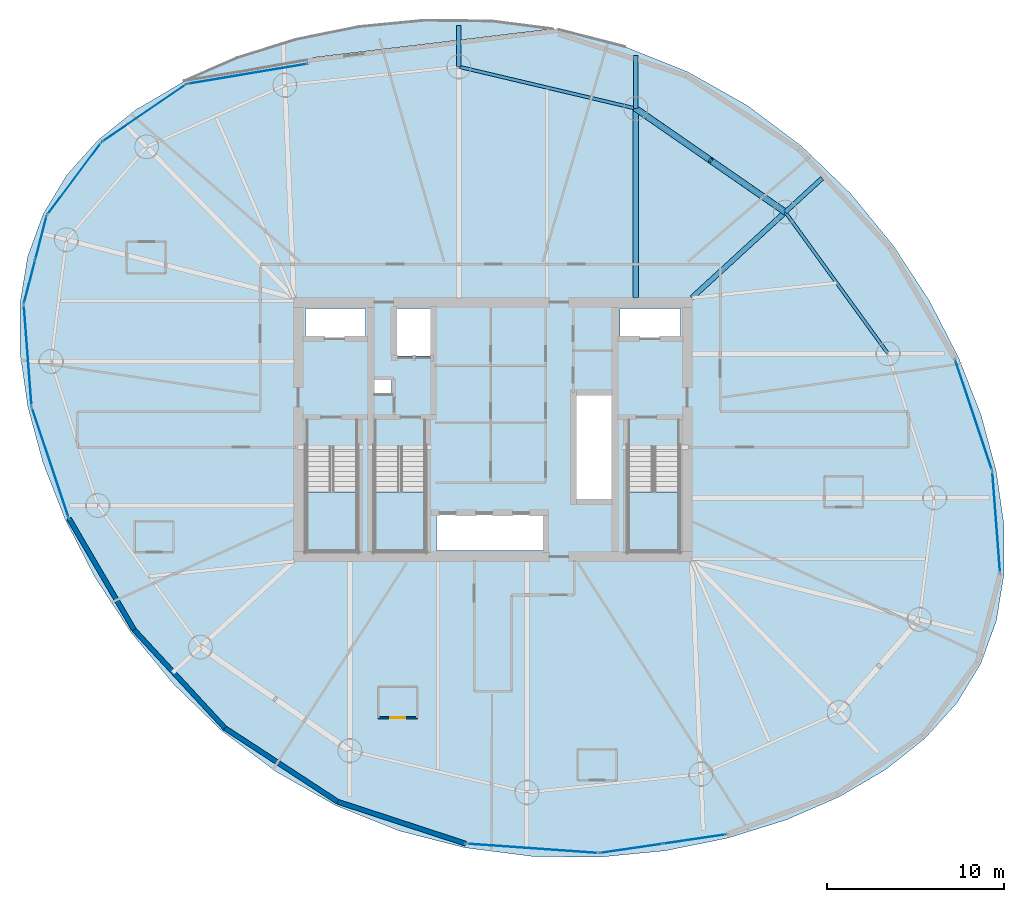
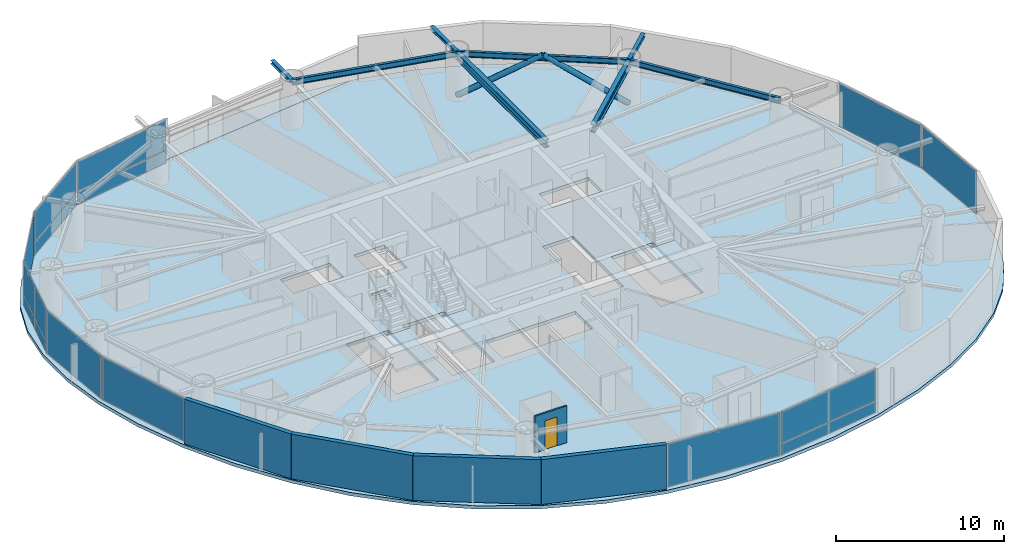
# One storey, part 16 of 22: 18 plates, 8 beams, 5 slabs, 5 walls, 2 members, 1 door, 1 opening, 13 elements without a shape of their own.
"""IFC4 building model written with IfcOpenShell, lengths in metres."""

from ifc_helpers import new_model, si_unit, direction, frame, frame_2d, origin, origin_2d, place, context, subcontext, project, spatial, polyline, rectangle, hollow_circle, i_section, outline, extrude, material, layer, layer_set, material_profile, profile_set, type_object, element, fill, aggregate, save


model = new_model("IFC4")

# Units and contexts
model_context = context("Model", 3, precision=1e-05, world=origin(), true_north=direction((0.0, 1.0)))
body_context = subcontext(model_context, "Body", "Model", "MODEL_VIEW")
ifc_project = project(units=[si_unit("LENGTHUNIT", "METRE"), si_unit("AREAUNIT", "SQUARE_METRE"), si_unit("VOLUMEUNIT", "CUBIC_METRE"), si_unit("PLANEANGLEUNIT", "RADIAN"), si_unit("MASSUNIT", "GRAM", prefix="KILO")], contexts=[model_context])

# Site, building, storey
site_placement = place(None, origin())
site = spatial("IfcSite", under=ifc_project, at=site_placement, CompositionType="ELEMENT")
building_placement = place(site_placement, origin())
building = spatial("IfcBuilding", under=site, at=building_placement, Name="Bramvorn Convention Spire", CompositionType="ELEMENT")
storey_placement = place(building_placement, frame((0.0, 0.0, 134.300048828125)))
storey = spatial("IfcBuildingStorey", under=building, at=storey_placement, Name="L33", CompositionType="ELEMENT", Elevation=134.300048828125)

# Beams
ifc_material_1 = material(Name="Steel CSA G40.21 Grade 350 (350W)", Category="steel")
ifc_material_profile_1 = material_profile(ifc_material_1, i_section(OverallWidth=0.25390625, OverallDepth=0.2529296875, WebThickness=0.008544921875, FlangeThickness=0.01416015625, FilletRadius=0.011962890625, at=origin_2d()))
ifc_profile_set_1 = profile_set([ifc_material_profile_1], Name="Steel CSA G40.21 Grade 350 (350W) - W250X73")
beam_type_1 = type_object("IfcBeamType", Name="BM-W250X73", PredefinedType="BEAM", material=ifc_profile_set_1)
beam_1_placement = place(storey_placement, frame((54.534912109375, 38.299072265625, 3.133544921875), z_axis=(0.736820552312, 0.676088362339, 0.0), x_axis=(-0.676088362339, 0.736820552312, 0.0)))
element("IfcBeam", 1, at=beam_1_placement, inside=storey, type_object=beam_type_1, Name="L33 slab-edge cantilever tip beam MC04", PredefinedType="BEAM", context=body_context, shape_type="SweptSolid", body=[
    extrude(i_section(OverallWidth=0.25390625, OverallDepth=0.2529296875, WebThickness=0.008544921875, FlangeThickness=0.01416015625, FilletRadius=0.011962890625, at=origin_2d()), origin(), (0.0, 0.0, 1.0), 2.825927734375),
])
beam_2_placement = place(storey_placement, frame((46.082763671875, 44.154052734375, 3.133544921875), z_axis=(0.0, 1.0, 0.0), x_axis=(-1.0, 0.0, 0.0)))
element("IfcBeam", 2, at=beam_2_placement, inside=storey, type_object=beam_type_1, Name="L33 slab-edge cantilever tip beam MC05", PredefinedType="BEAM", context=body_context, shape_type="SweptSolid", body=[
    extrude(i_section(OverallWidth=0.25390625, OverallDepth=0.2529296875, WebThickness=0.008544921875, FlangeThickness=0.01416015625, FilletRadius=0.011962890625, at=origin_2d()), origin(), (0.0, 0.0, 1.0), 3.013916015625),
])
beam_3_placement = place(storey_placement, frame((36.075927734375, 46.517333984375, 3.133544921875), z_axis=(0.0, 1.0, 0.0), x_axis=(-1.0, 0.0, 0.0)))
element("IfcBeam", 3, at=beam_3_placement, inside=storey, type_object=beam_type_1, Name="L33 slab-edge cantilever tip beam MC06", PredefinedType="BEAM", context=body_context, shape_type="SweptSolid", body=[
    extrude(i_section(OverallWidth=0.25390625, OverallDepth=0.2529296875, WebThickness=0.008544921875, FlangeThickness=0.01416015625, FilletRadius=0.011962890625, at=origin_2d()), origin(), (0.0, 0.0, 1.0), 2.32080078125),
])
ifc_material_profile_2 = material_profile(ifc_material_1, i_section(OverallWidth=0.180908203125, OverallDepth=0.4169921875, WebThickness=0.010986328125, FlangeThickness=0.018310546875, FilletRadius=0.01611328125, at=origin_2d()))
ifc_profile_set_2 = profile_set([ifc_material_profile_2], Name="Steel CSA G40.21 Grade 350 (350W) - W410X85")
beam_type_2 = type_object("IfcBeamType", Name="BM-W410X85", PredefinedType="JOIST", material=ifc_profile_set_2)
beam_4_placement = place(storey_placement, frame((60.345703125, 30.293212890625, 3.051513671875), z_axis=(-0.587401024629, 0.809296012757, 0.0), x_axis=(-0.809296012757, -0.587401024629, 0.0)))
element("IfcBeam", 4, at=beam_4_placement, inside=storey, type_object=beam_type_2, Name="L33 mega-column ring beam 03", PredefinedType="JOIST", context=body_context, shape_type="SweptSolid", body=[
    extrude(i_section(OverallWidth=0.180908203125, OverallDepth=0.4169921875, WebThickness=0.010986328125, FlangeThickness=0.018310546875, FilletRadius=0.01611328125, at=origin_2d()), origin(), (0.0, 0.0, 1.0), 9.892333984375),
])
beam_5_placement = place(storey_placement, frame((54.534912109375, 38.299072265625, 3.051513671875), z_axis=(-0.822033166673, 0.569439613032, 0.0), x_axis=(-0.569439613032, -0.822033166673, 0.0)))
element("IfcBeam", 5, at=beam_5_placement, inside=storey, type_object=beam_type_2, Name="L33 mega-column ring beam 04", PredefinedType="JOIST", context=body_context, shape_type="SweptSolid", body=[
    extrude(i_section(OverallWidth=0.180908203125, OverallDepth=0.4169921875, WebThickness=0.010986328125, FlangeThickness=0.018310546875, FilletRadius=0.01611328125, at=origin_2d()), origin(), (0.0, 0.0, 1.0), 10.281982421875),
])
beam_6_placement = place(storey_placement, frame((46.082763671875, 44.154052734375, 3.051513671875), z_axis=(-0.97322750491, 0.229843911572, 0.0), x_axis=(-0.229843911572, -0.97322750491, 0.0)))
element("IfcBeam", 6, at=beam_6_placement, inside=storey, type_object=beam_type_2, Name="L33 mega-column ring beam 05", PredefinedType="JOIST", context=body_context, shape_type="SweptSolid", body=[
    extrude(i_section(OverallWidth=0.180908203125, OverallDepth=0.4169921875, WebThickness=0.010986328125, FlangeThickness=0.018310546875, FilletRadius=0.01611328125, at=origin_2d()), origin(), (0.0, 0.0, 1.0), 10.2822265625),
])
ifc_material_profile_3 = material_profile(ifc_material_1, i_section(OverallWidth=0.2919921875, OverallDepth=0.551025390625, WebThickness=0.01513671875, FlangeThickness=0.0244140625, FilletRadius=0.01904296875, at=origin_2d()))
ifc_profile_set_3 = profile_set([ifc_material_profile_3], Name="Steel CSA G40.21 Grade 350 (350W) - W530X182")
beam_type_3 = type_object("IfcBeamType", Name="BM-W530X182", PredefinedType="BEAM", material=ifc_profile_set_3)
beam_7_placement = place(storey_placement, frame((49.25, 33.449951171875, 2.984375), z_axis=(0.736833323746, 0.676074443399, 0.0), x_axis=(-0.676074443399, 0.736833323746, 0.0)))
element("IfcBeam", 7, at=beam_7_placement, inside=storey, type_object=beam_type_3, Name="L33 radial floor girder MC04", PredefinedType="BEAM", context=body_context, shape_type="SweptSolid", body=[
    extrude(i_section(OverallWidth=0.2919921875, OverallDepth=0.551025390625, WebThickness=0.01513671875, FlangeThickness=0.0244140625, FilletRadius=0.01904296875, at=origin_2d()), origin(), (0.0, 0.0, 1.0), 7.17236328125),
])
beam_8_placement = place(storey_placement, frame((46.082763671875, 33.449951171875, 2.984375), z_axis=(0.0, 1.0, 0.0), x_axis=(-1.0, 0.0, 0.0)))
element("IfcBeam", 8, at=beam_8_placement, inside=storey, type_object=beam_type_3, Name="L33 radial floor girder MC05", PredefinedType="BEAM", context=body_context, shape_type="SweptSolid", body=[
    extrude(i_section(OverallWidth=0.2919921875, OverallDepth=0.551025390625, WebThickness=0.01513671875, FlangeThickness=0.0244140625, FilletRadius=0.01904296875, at=origin_2d()), origin(), (0.0, 0.0, 1.0), 10.7041015625),
])

# Members
ifc_material_profile_4 = material_profile(ifc_material_1, hollow_circle(Radius=0.177734375, WallThickness=0.015869140625, at=origin_2d()))
ifc_profile_set_4 = profile_set([ifc_material_profile_4], Name="Steel CSA G40.21 Grade 350 (350W) - CHS356X16")
member_type = type_object("IfcMemberType", Name="MBR-CHS356X16", PredefinedType="BRACE", material=ifc_profile_set_4)
for number, where, z_axis, x_axis, name in (
    (9, (54.534912109375, 38.299072265625, 0.0), (-0.694222482493, 0.480902471841, 0.535525869944), (-0.569439613032, -0.822033166673, 0.0), "L33 perimeter Gothic lancet brace 4A"),
    (10, (46.082763671875, 44.154052734375, 0.0), (0.694222482493, -0.480902471841, 0.535525869944), (0.569439613032, 0.822033166673, 0.0), "L33 perimeter Gothic lancet brace 4B"),
):
    element("IfcMember", number, at=place(storey_placement, frame(where, z_axis=z_axis, x_axis=x_axis)), inside=storey, type_object=member_type, Name=name, PredefinedType="BRACE", context=body_context, shape_type="SweptSolid", body=[
        extrude(hollow_circle(Radius=0.177734375, WallThickness=0.015869140625, at=origin_2d()), origin(), (0.0, 0.0, 1.0), 6.08740234375),
    ])

# Curtain wall, plate
ifc_material_2 = material(Name="Anodised Bronze Unitised Curtain Wall", Category="aluminium")
ifc_layer_1 = layer(ifc_material_2, 0.179931640625)
ifc_layer_set_1 = layer_set([ifc_layer_1], Name="Anodised Bronze Unitised Curtain Wall - CW-HTL-FRIT")
curtain_wall_type_1 = type_object("IfcCurtainWallType", Name="CW-HTL-FRIT", PredefinedType="USERDEFINED", material=ifc_layer_set_1)
curtain_wall_1_placement = place(storey_placement, origin())
curtain_wall_1 = element("IfcCurtainWall", 11, at=curtain_wall_1_placement, inside=storey, type_object=curtain_wall_type_1, Name="L33 fritted glass curtain wall 02", ObjectType="UNITISED CURTAIN WALL", PredefinedType="USERDEFINED")
ifc_material_3 = material(Name="Laminated Low-E Glass (Triple IGU Tapered Ceramic Frit 40%)", Category="glass")
ifc_layer_2 = layer(ifc_material_3, 0.0380859375)
ifc_layer_set_2 = layer_set([ifc_layer_2], Name="Laminated Low-E Glass (Triple IGU Tapered Ceramic Frit 40%) - PNL-IGU-2")
plate_type_1 = type_object("IfcPlateType", Name="PNL-IGU-2", PredefinedType="CURTAIN_PANEL", material=ifc_layer_set_2)
plate_1_placement = place(storey_placement, frame((66.465087890625, 20.760009765625, 0.06005859375), z_axis=(0.0, 0.0, 1.0), x_axis=(0.07657830169, -0.997063570546, 0.0)))
plate_1 = element("IfcPlate", 12, at=plate_1_placement, type_object=plate_type_1, Name="CW2 panel 1.1", PredefinedType="CURTAIN_PANEL", context=body_context, shape_type="SweptSolid", body=[
    extrude(rectangle(XDim=5.702880859375, YDim=0.028076171875, at=origin_2d()), origin(), (0.0, 0.0, 1.0), 3.139892578125),
])
aggregate(curtain_wall_1, [plate_1])

curtain_wall_2_placement = place(storey_placement, origin())
curtain_wall_2 = element("IfcCurtainWall", 13, at=curtain_wall_2_placement, inside=storey, type_object=curtain_wall_type_1, Name="L33 fritted glass curtain wall 03", ObjectType="UNITISED CURTAIN WALL", PredefinedType="USERDEFINED")
plate_2_placement = place(storey_placement, frame((65.18798828125, 26.824462890625, 0.06005859375), z_axis=(0.0, 0.0, 1.0), x_axis=(0.316277277688, -0.948666792725, 0.0)))
plate_2 = element("IfcPlate", 14, at=plate_2_placement, type_object=plate_type_1, Name="CW2 panel 1.1", PredefinedType="CURTAIN_PANEL", context=body_context, shape_type="SweptSolid", body=[
    extrude(rectangle(XDim=6.544921875, YDim=0.028076171875, at=origin_2d()), origin(), (0.0, 0.0, 1.0), 3.139892578125),
])
aggregate(curtain_wall_2, [plate_2])

curtain_wall_3_placement = place(storey_placement, origin())
curtain_wall_3 = element("IfcCurtainWall", 15, at=curtain_wall_3_placement, inside=storey, type_object=curtain_wall_type_1, Name="L33 fritted glass curtain wall 12", ObjectType="UNITISED CURTAIN WALL", PredefinedType="USERDEFINED")
plate_3_placement = place(storey_placement, frame((14.324462890625, 40.185302734375, 0.06005859375), z_axis=(0.0, 0.0, 1.0), x_axis=(0.598028459891, 0.801474866207, 0.0)))
plate_3 = element("IfcPlate", 16, at=plate_3_placement, type_object=plate_type_1, Name="CW2 panel 1.1", PredefinedType="CURTAIN_PANEL", context=body_context, shape_type="SweptSolid", body=[
    extrude(rectangle(XDim=5.054443359375, YDim=0.028076171875, at=origin_2d()), origin(), (0.0, 0.0, 1.0), 3.139892578125),
])
aggregate(curtain_wall_3, [plate_3])

# Curtain wall, plates
curtain_wall_4_placement = place(storey_placement, origin())
curtain_wall_4 = element("IfcCurtainWall", 17, at=curtain_wall_4_placement, inside=storey, type_object=curtain_wall_type_1, Name="L33 fritted glass curtain wall 13", ObjectType="UNITISED CURTAIN WALL", PredefinedType="USERDEFINED")
plate_4_placement = place(storey_placement, frame((11.8046875, 34.370361328125, 0.059814453125), z_axis=(0.0, 0.0, 1.0), x_axis=(0.251587871305, 0.967834460542, 0.0)))
plate_4 = element("IfcPlate", 18, at=plate_4_placement, type_object=plate_type_1, Name="CW2 panel 1.1", PredefinedType="CURTAIN_PANEL", context=body_context, shape_type="SweptSolid", body=[
    extrude(rectangle(XDim=2.4970703125, YDim=0.028076171875, at=origin_2d()), origin(), (0.0, 0.0, 1.0), 0.81005859375),
])
plate_5_placement = place(storey_placement, frame((11.8046875, 34.370361328125, 0.929931640625), z_axis=(0.0, 0.0, 1.0), x_axis=(0.251587871305, 0.967834460542, 0.0)))
plate_5 = element("IfcPlate", 19, at=plate_5_placement, type_object=plate_type_1, Name="CW2 panel 1.2", PredefinedType="CURTAIN_PANEL", context=body_context, shape_type="SweptSolid", body=[
    extrude(rectangle(XDim=2.4970703125, YDim=0.028076171875, at=origin_2d()), origin(), (0.0, 0.0, 1.0), 2.27001953125),
])
plate_6_placement = place(storey_placement, frame((12.447998046875, 36.84521484375, 0.059814453125), z_axis=(0.0, 0.0, 1.0), x_axis=(0.251587871305, 0.967834460542, 0.0)))
plate_6 = element("IfcPlate", 20, at=plate_6_placement, type_object=plate_type_1, Name="CW2 panel 2.1", PredefinedType="CURTAIN_PANEL", context=body_context, shape_type="SweptSolid", body=[
    extrude(rectangle(XDim=2.4970703125, YDim=0.028076171875, at=origin_2d()), origin(), (0.0, 0.0, 1.0), 0.81005859375),
])
plate_7_placement = place(storey_placement, frame((12.447998046875, 36.84521484375, 0.929931640625), z_axis=(0.0, 0.0, 1.0), x_axis=(0.251587871305, 0.967834460542, 0.0)))
plate_7 = element("IfcPlate", 21, at=plate_7_placement, type_object=plate_type_1, Name="CW2 panel 2.2", PredefinedType="CURTAIN_PANEL", context=body_context, shape_type="SweptSolid", body=[
    extrude(rectangle(XDim=2.4970703125, YDim=0.028076171875, at=origin_2d()), origin(), (0.0, 0.0, 1.0), 2.27001953125),
])
aggregate(curtain_wall_4, [plate_4, plate_5, plate_6, plate_7])

# Curtain wall, plate
curtain_wall_5_placement = place(storey_placement, origin())
curtain_wall_5 = element("IfcCurtainWall", 22, at=curtain_wall_5_placement, inside=storey, type_object=curtain_wall_type_1, Name="L33 fritted glass curtain wall 14", ObjectType="UNITISED CURTAIN WALL", PredefinedType="USERDEFINED")
plate_8_placement = place(storey_placement, frame((11.698486328125, 30.201171875, 0.06005859375), z_axis=(0.0, 0.0, 1.0), x_axis=(-0.07657830169, 0.997063570546, 0.0)))
plate_8 = element("IfcPlate", 23, at=plate_8_placement, type_object=plate_type_1, Name="CW2 panel 1.1", PredefinedType="CURTAIN_PANEL", context=body_context, shape_type="SweptSolid", body=[
    extrude(rectangle(XDim=5.702880859375, YDim=0.028076171875, at=origin_2d()), origin(), (0.0, 0.0, 1.0), 3.139892578125),
])
aggregate(curtain_wall_5, [plate_8])

curtain_wall_6_placement = place(storey_placement, origin())
curtain_wall_6 = element("IfcCurtainWall", 24, at=curtain_wall_6_placement, inside=storey, type_object=curtain_wall_type_1, Name="L33 fritted glass curtain wall 15", ObjectType="UNITISED CURTAIN WALL", PredefinedType="USERDEFINED")
plate_9_placement = place(storey_placement, frame((12.975341796875, 24.13671875, 0.06005859375), z_axis=(0.0, 0.0, 1.0), x_axis=(-0.316277277688, 0.948666792725, 0.0)))
plate_9 = element("IfcPlate", 25, at=plate_9_placement, type_object=plate_type_1, Name="CW2 panel 1.1", PredefinedType="CURTAIN_PANEL", context=body_context, shape_type="SweptSolid", body=[
    extrude(rectangle(XDim=6.544921875, YDim=0.028076171875, at=origin_2d()), origin(), (0.0, 0.0, 1.0), 3.139892578125),
])
aggregate(curtain_wall_6, [plate_9])

curtain_wall_7_placement = place(storey_placement, origin())
curtain_wall_7 = element("IfcCurtainWall", 26, at=curtain_wall_7_placement, inside=storey, type_object=curtain_wall_type_1, Name="L33 fritted glass curtain wall 20", ObjectType="UNITISED CURTAIN WALL", PredefinedType="USERDEFINED")
plate_10_placement = place(storey_placement, frame((40.240234375, 2.317138671875, 0.06005859375), z_axis=(0.0, 0.0, 1.0), x_axis=(-0.997502636614, 0.070629242873, 0.0)))
plate_10 = element("IfcPlate", 27, at=plate_10_placement, type_object=plate_type_1, Name="CW2 panel 1.1", PredefinedType="CURTAIN_PANEL", context=body_context, shape_type="SweptSolid", body=[
    extrude(rectangle(XDim=7.44921875, YDim=0.028076171875, at=origin_2d()), origin(), (0.0, 0.0, 1.0), 3.139892578125),
])
aggregate(curtain_wall_7, [plate_10])

# Curtain wall, plates
curtain_wall_8_placement = place(storey_placement, origin())
curtain_wall_8 = element("IfcCurtainWall", 28, at=curtain_wall_8_placement, inside=storey, type_object=curtain_wall_type_1, Name="L33 fritted glass curtain wall 21", ObjectType="UNITISED CURTAIN WALL", PredefinedType="USERDEFINED")
plate_11_placement = place(storey_placement, frame((49.4111328125, 2.84423828125, 0.059814453125), z_axis=(0.0, 0.0, 1.0), x_axis=(-0.989335375402, -0.145655466692, 0.0)))
plate_11 = element("IfcPlate", 29, at=plate_11_placement, type_object=plate_type_1, Name="CW2 panel 1.1", PredefinedType="CURTAIN_PANEL", context=body_context, shape_type="SweptSolid", body=[
    extrude(rectangle(XDim=3.555908203125, YDim=0.028076171875, at=origin_2d()), origin(), (0.0, 0.0, 1.0), 0.81005859375),
])
plate_12_placement = place(storey_placement, frame((49.4111328125, 2.84423828125, 0.929931640625), z_axis=(0.0, 0.0, 1.0), x_axis=(-0.989335375402, -0.145655466692, 0.0)))
plate_12 = element("IfcPlate", 30, at=plate_12_placement, type_object=plate_type_1, Name="CW2 panel 1.2", PredefinedType="CURTAIN_PANEL", context=body_context, shape_type="SweptSolid", body=[
    extrude(rectangle(XDim=3.555908203125, YDim=0.028076171875, at=origin_2d()), origin(), (0.0, 0.0, 1.0), 2.27001953125),
])
plate_13_placement = place(storey_placement, frame((45.833740234375, 2.317626953125, 0.059814453125), z_axis=(0.0, 0.0, 1.0), x_axis=(-0.989335375402, -0.145655466692, 0.0)))
plate_13 = element("IfcPlate", 31, at=plate_13_placement, type_object=plate_type_1, Name="CW2 panel 2.1", PredefinedType="CURTAIN_PANEL", context=body_context, shape_type="SweptSolid", body=[
    extrude(rectangle(XDim=3.555908203125, YDim=0.028076171875, at=origin_2d()), origin(), (0.0, 0.0, 1.0), 0.81005859375),
])
plate_14_placement = place(storey_placement, frame((45.833740234375, 2.317626953125, 0.929931640625), z_axis=(0.0, 0.0, 1.0), x_axis=(-0.989335375402, -0.145655466692, 0.0)))
plate_14 = element("IfcPlate", 32, at=plate_14_placement, type_object=plate_type_1, Name="CW2 panel 2.2", PredefinedType="CURTAIN_PANEL", context=body_context, shape_type="SweptSolid", body=[
    extrude(rectangle(XDim=3.555908203125, YDim=0.028076171875, at=origin_2d()), origin(), (0.0, 0.0, 1.0), 2.27001953125),
])
aggregate(curtain_wall_8, [plate_11, plate_12, plate_13, plate_14])

ifc_layer_3 = layer(ifc_material_2, 0.219970703125)
ifc_layer_set_3 = layer_set([ifc_layer_3], Name="Anodised Bronze Unitised Curtain Wall - CW-SKYGARDEN")
curtain_wall_type_2 = type_object("IfcCurtainWallType", Name="CW-SKYGARDEN", PredefinedType="USERDEFINED", material=ifc_layer_set_3)
curtain_wall_9_placement = place(storey_placement, origin())
curtain_wall_9 = element("IfcCurtainWall", 33, at=curtain_wall_9_placement, inside=storey, type_object=curtain_wall_type_2, Name="L33 Sky Garden glazed facade 10", ObjectType="WINTER GARDEN GLAZING", PredefinedType="USERDEFINED")
ifc_material_4 = material(Name="Laminated Low-E Glass (Acoustic Laminated Podium Triple IGU)", Category="glass")
ifc_layer_4 = layer(ifc_material_4, 0.0458984375)
ifc_layer_set_4 = layer_set([ifc_layer_4], Name="Laminated Low-E Glass (Acoustic Laminated Podium Triple IGU) - PNL-IGU-5")
plate_type_2 = type_object("IfcPlateType", Name="PNL-IGU-5", PredefinedType="CURTAIN_PANEL", material=ifc_layer_set_4)
plate_15_placement = place(storey_placement, frame((24.121826171875, 46.116455078125, 0.06005859375), z_axis=(0.0, 0.0, 1.0), x_axis=(0.986294571384, 0.164993995221, 0.0)))
plate_15 = element("IfcPlate", 34, at=plate_15_placement, type_object=plate_type_2, Name="CW4 panel 1.1", PredefinedType="CURTAIN_PANEL", context=body_context, shape_type="SweptSolid", body=[
    extrude(rectangle(XDim=6.856689453125, YDim=0.028076171875, at=origin_2d()), origin(), (0.0, 0.0, 1.0), 0.909912109375),
])
plate_16_placement = place(storey_placement, frame((24.121826171875, 46.116455078125, 1.030029296875), z_axis=(0.0, 0.0, 1.0), x_axis=(0.986294571384, 0.164993995221, 0.0)))
plate_16 = element("IfcPlate", 35, at=plate_16_placement, type_object=plate_type_2, Name="CW4 panel 1.2", PredefinedType="CURTAIN_PANEL", context=body_context, shape_type="SweptSolid", body=[
    extrude(rectangle(XDim=6.856689453125, YDim=0.028076171875, at=origin_2d()), origin(), (0.0, 0.0, 1.0), 2.169921875),
])
aggregate(curtain_wall_9, [plate_15, plate_16])

curtain_wall_10_placement = place(storey_placement, origin())
curtain_wall_10 = element("IfcCurtainWall", 36, at=curtain_wall_10_placement, inside=storey, type_object=curtain_wall_type_2, Name="L33 Sky Garden glazed facade 11", ObjectType="WINTER GARDEN GLAZING", PredefinedType="USERDEFINED")
plate_17_placement = place(storey_placement, frame((18.276611328125, 43.89990234375, 0.06005859375), z_axis=(0.0, 0.0, 1.0), x_axis=(0.826022725171, 0.563636813473, 0.0)))
plate_17 = element("IfcPlate", 37, at=plate_17_placement, type_object=plate_type_2, Name="CW4 panel 1.1", PredefinedType="CURTAIN_PANEL", context=body_context, shape_type="SweptSolid", body=[
    extrude(rectangle(XDim=5.70263671875, YDim=0.028076171875, at=origin_2d()), origin(), (0.0, 0.0, 1.0), 0.909912109375),
])
plate_18_placement = place(storey_placement, frame((18.276611328125, 43.89990234375, 1.030029296875), z_axis=(0.0, 0.0, 1.0), x_axis=(0.826022725171, 0.563636813473, 0.0)))
plate_18 = element("IfcPlate", 38, at=plate_18_placement, type_object=plate_type_2, Name="CW4 panel 1.2", PredefinedType="CURTAIN_PANEL", context=body_context, shape_type="SweptSolid", body=[
    extrude(rectangle(XDim=5.70263671875, YDim=0.028076171875, at=origin_2d()), origin(), (0.0, 0.0, 1.0), 2.169921875),
])
aggregate(curtain_wall_10, [plate_17, plate_18])

# Slab
ifc_material_5 = material(Name="Concrete C40/50 Sky-Garden Terrace Slab", Category="concrete")
ifc_layer_5 = layer(ifc_material_5, 0.260009765625)
ifc_layer_set_5 = layer_set([ifc_layer_5], Name="Concrete C40/50 Sky-Garden Terrace Slab - SLB-SKYGARDEN-260")
slab_type_1 = type_object("IfcSlabType", Name="SLB-SKYGARDEN-260", PredefinedType="FLOOR", material=ifc_layer_set_5)
slab_1_placement = place(storey_placement, frame((0.0, 0.0, -0.260009765625)))
element("IfcSlab", 39, at=slab_1_placement, inside=storey, type_object=slab_type_1, Name="L33 planted double-height Sky Garden terrace slab", PredefinedType="FLOOR", context=body_context, shape_type="SweptSolid", body=[
    extrude(outline(polyline([(23.552490234375, 47.02392578125), (20.555419921875, 45.718505859375), (24.073974609375, 46.30029296875), (27.48779296875, 46.89892578125), (27.9521484375, 47.046142578125), (41.381103515625, 48.65283203125), (37.939697265625, 49.09375), (34.134765625, 49.137451171875), (30.414306640625, 48.776611328125), (26.861083984375, 48.056640625), (23.552490234375, 47.02392578125)])), origin(), (0.0, 0.0, 1.0), 0.260009765625),
])

# Stair, slab
ifc_material_6 = material(Name="Concrete C40/50 Precast Stair", Category="concrete")
stair_type = type_object("IfcStairType", Name="ST-TOWER-1550", PredefinedType="HALF_TURN_STAIR", material=ifc_material_6)
stair_1_placement = place(storey_placement, origin())
stair_1 = element("IfcStair", 40, at=stair_1_placement, inside=storey, type_object=stair_type, Name="L33 Protected Exit Stair ST1", PredefinedType="HALF_TURN_STAIR")
ifc_material_7 = material(Name="Concrete C40/50 Stair Landing", Category="concrete")
ifc_layer_6 = layer(ifc_material_7, 0.219970703125)
ifc_layer_set_6 = layer_set([ifc_layer_6], Name="Concrete C40/50 Stair Landing - SLB-STAIR-LANDING")
slab_type_2 = type_object("IfcSlabType", Name="SLB-STAIR-LANDING", PredefinedType="LANDING", material=ifc_layer_set_6)
slab_2_placement = place(storey_placement, frame((0.0, 0.0, 1.550048828125)))
slab_2 = element("IfcSlab", 41, at=slab_2_placement, type_object=slab_type_2, Name="ST1 landing 1", PredefinedType="LANDING", context=body_context, shape_type="SweptSolid", body=[
    extrude(outline(polyline([(27.449951171875, 22.485107421875), (27.449951171875, 19.10009765625), (30.35009765625, 19.10009765625), (30.35009765625, 22.485107421875), (27.449951171875, 22.485107421875)])), origin(), (0.0, 0.0, 1.0), 0.199951171875),
])
aggregate(stair_1, [slab_2])

stair_2_placement = place(storey_placement, origin())
stair_2 = element("IfcStair", 42, at=stair_2_placement, inside=storey, type_object=stair_type, Name="L33 Protected Exit Stair ST2", PredefinedType="HALF_TURN_STAIR")
slab_3_placement = place(storey_placement, frame((0.0, 0.0, 1.550048828125)))
slab_3 = element("IfcSlab", 43, at=slab_3_placement, type_object=slab_type_2, Name="ST2 landing 1", PredefinedType="LANDING", context=body_context, shape_type="SweptSolid", body=[
    extrude(outline(polyline([(45.64990234375, 22.485107421875), (45.64990234375, 19.10009765625), (48.550048828125, 19.10009765625), (48.550048828125, 22.485107421875), (45.64990234375, 22.485107421875)])), origin(), (0.0, 0.0, 1.0), 0.199951171875),
])
aggregate(stair_2, [slab_3])

stair_3_placement = place(storey_placement, origin())
stair_3 = element("IfcStair", 44, at=stair_3_placement, inside=storey, type_object=stair_type, Name="L33 Protected Exit Stair ST3", PredefinedType="HALF_TURN_STAIR")
slab_4_placement = place(storey_placement, frame((0.0, 0.0, 1.550048828125)))
slab_4 = element("IfcSlab", 45, at=slab_4_placement, type_object=slab_type_2, Name="ST3 landing 1", PredefinedType="LANDING", context=body_context, shape_type="SweptSolid", body=[
    extrude(outline(polyline([(31.300048828125, 22.485107421875), (31.300048828125, 19.10009765625), (34.199951171875, 19.10009765625), (34.199951171875, 22.485107421875), (31.300048828125, 22.485107421875)])), origin(), (0.0, 0.0, 1.0), 0.199951171875),
])
aggregate(stair_3, [slab_4])

# Slab
ifc_material_8 = material(Name="Concrete C50/60", Category="concrete")
ifc_layer_7 = layer(ifc_material_8, 0.239990234375)
ifc_layer_set_7 = layer_set([ifc_layer_7], Name="Concrete C50/60 - SLB-Z2-240")
slab_type_3 = type_object("IfcSlabType", Name="SLB-Z2-240", PredefinedType="FLOOR", material=ifc_layer_set_7)
slab_5_placement = place(storey_placement, frame((0.0, 0.0, -0.239990234375)))
element("IfcSlab", 46, at=slab_5_placement, inside=storey, type_object=slab_type_3, Name="L33 tower floor slab", PredefinedType="FLOOR", context=body_context, shape_type="SweptSolid", body=[
    extrude(outline(polyline([(64.247314453125, 10.55029296875), (62.46044921875, 8.5625), (60.23828125, 6.79052734375), (57.608154296875, 5.24267578125), (54.611083984375, 3.937255859375), (51.302490234375, 2.904296875), (47.749267578125, 2.1845703125), (44.02880859375, 1.823486328125), (40.2236328125, 1.867431640625), (36.418212890625, 2.35498046875), (32.693359375, 3.3115234375), (29.123779296875, 4.743408203125), (25.774658203125, 6.6337890625), (22.69921875, 8.942626953125), (19.939453125, 11.60791015625), (17.52587890625, 14.550048828125), (15.481689453125, 17.67919921875), (13.82177734375, 20.90234375), (12.55908203125, 24.13037109375), (11.7041015625, 27.285400390625), (11.267578125, 30.305908203125), (11.260986328125, 33.148193359375), (11.6953125, 35.78564453125), (12.5791015625, 38.20703125), (13.916259765625, 40.41064453125), (15.703125, 42.398681640625), (17.92529296875, 44.17041015625), (17.9423828125, 44.1806640625), (17.935302734375, 44.1533203125), (20.562255859375, 45.699462890625), (24.0771484375, 46.28076171875), (27.4912109375, 46.879150390625), (27.953369140625, 47.0361328125), (41.421875, 48.647705078125), (41.745361328125, 48.606201171875), (45.47021484375, 47.6494140625), (49.03955078125, 46.217529296875), (52.388671875, 44.3271484375), (55.464111328125, 42.018310546875), (58.22412109375, 39.353271484375), (60.637451171875, 36.410888671875), (62.681884765625, 33.28173828125), (64.341796875, 30.05859375), (65.6044921875, 26.830810546875), (66.45947265625, 23.675537109375), (66.89599609375, 20.655029296875), (66.902587890625, 17.81298828125), (66.46826171875, 15.175537109375), (65.58447265625, 12.754150390625), (64.247314453125, 10.55029296875)]), holes=[polyline([(27.449951171875, 25.050048828125), (27.449951171875, 19.10009765625), (30.35009765625, 19.10009765625), (30.35009765625, 25.050048828125), (27.449951171875, 25.050048828125)]), polyline([(45.64990234375, 25.050048828125), (45.64990234375, 19.10009765625), (48.550048828125, 19.10009765625), (48.550048828125, 25.050048828125), (45.64990234375, 25.050048828125)]), polyline([(31.300048828125, 25.050048828125), (31.300048828125, 19.10009765625), (34.199951171875, 19.10009765625), (34.199951171875, 25.050048828125), (31.300048828125, 25.050048828125)]), polyline([(27.39990234375, 31.219970703125), (30.800048828125, 31.219970703125), (30.800048828125, 32.85009765625), (27.39990234375, 32.85009765625), (27.39990234375, 31.219970703125)]), polyline([(45.199951171875, 31.219970703125), (48.60009765625, 31.219970703125), (48.60009765625, 32.85009765625), (45.199951171875, 32.85009765625), (45.199951171875, 31.219970703125)]), polyline([(32.449951171875, 30.14990234375), (34.56005859375, 30.14990234375), (34.56005859375, 32.85009765625), (32.449951171875, 32.85009765625), (32.449951171875, 30.14990234375)]), polyline([(34.800048828125, 19.14990234375), (40.97998046875, 19.14990234375), (40.97998046875, 21.199951171875), (34.800048828125, 21.199951171875), (34.800048828125, 19.14990234375)]), polyline([(42.6201171875, 22.0), (44.75, 22.0), (44.75, 28.0), (42.6201171875, 28.0), (42.6201171875, 22.0)]), polyline([(31.320068359375, 28.02001953125), (32.280029296875, 28.02001953125), (32.280029296875, 28.820068359375), (31.320068359375, 28.820068359375), (31.320068359375, 28.02001953125)])]), origin(), (0.0, 0.0, 1.0), 0.239990234375),
])

# Walls
ifc_material_9 = material(Name="Precast Concrete C40/50 with Bronze Terracotta Rainscreen", Category="masonry")
ifc_layer_8 = layer(ifc_material_9, 0.300048828125)
ifc_layer_set_8 = layer_set([ifc_layer_8], Name="Precast Concrete C40/50 with Bronze Terracotta Rainscreen - WL-EXT-BRONZE-300")
wall_type_1 = type_object("IfcWallType", Name="WL-EXT-BRONZE-300", PredefinedType="SOLIDWALL", material=ifc_layer_set_8)
wall_1_placement = place(storey_placement, frame((17.7109375, 14.68115234375, 0.0), z_axis=(0.0, 0.0, 1.0), x_axis=(-0.504896965015, 0.863179619036, 0.0)))
element("IfcWall", 47, at=wall_1_placement, inside=storey, type_object=wall_type_1, Name="L33 expressed bronze Gothic lancet pier wall 16", PredefinedType="SOLIDWALL", context=body_context, shape_type="SweptSolid", body=[
    extrude(rectangle(XDim=7.291748046875, YDim=0.280029296875, at=frame_2d((3.64599609375, 0.0))), origin(), (0.0, 0.0, 1.0), 3.260009765625),
])
wall_2_placement = place(storey_placement, frame((22.84912109375, 9.122802734375, 0.0), z_axis=(0.0, 0.0, 1.0), x_axis=(-0.678807731481, 0.734316051631, 0.0)))
element("IfcWall", 48, at=wall_2_placement, inside=storey, type_object=wall_type_1, Name="L33 expressed bronze Gothic lancet pier wall 17", PredefinedType="SOLIDWALL", context=body_context, shape_type="SweptSolid", body=[
    extrude(rectangle(XDim=7.5693359375, YDim=0.280029296875, at=frame_2d((3.78466796875, 0.0))), origin(), (0.0, 0.0, 1.0), 3.260009765625),
])
wall_3_placement = place(storey_placement, frame((29.226806640625, 4.957763671875, 0.0), z_axis=(0.0, 0.0, 1.0), x_axis=(-0.837269306741, 0.546790735099, 0.0)))
element("IfcWall", 49, at=wall_3_placement, inside=storey, type_object=wall_type_1, Name="L33 expressed bronze Gothic lancet pier wall 18", PredefinedType="SOLIDWALL", context=body_context, shape_type="SweptSolid", body=[
    extrude(rectangle(XDim=7.6171875, YDim=0.280029296875, at=frame_2d((3.80859375, 0.0))), origin(), (0.0, 0.0, 1.0), 3.260009765625),
])
wall_4_placement = place(storey_placement, frame((36.465087890625, 2.58447265625, 0.0), z_axis=(0.0, 0.0, 1.0), x_axis=(-0.950226274454, 0.31156063188, 0.0)))
element("IfcWall", 50, at=wall_4_placement, inside=storey, type_object=wall_type_1, Name="L33 expressed bronze Gothic lancet pier wall 19", PredefinedType="SOLIDWALL", context=body_context, shape_type="SweptSolid", body=[
    extrude(rectangle(XDim=7.617431640625, YDim=0.280029296875, at=frame_2d((3.80859375, 0.0))), origin(), (0.0, 0.0, 1.0), 3.260009765625),
])

# Wall, opening, door
ifc_material_10 = material(Name="Lightweight En-Suite & Wet-Wall Partition", Category="gypsum")
ifc_layer_9 = layer(ifc_material_10, 0.110107421875)
ifc_layer_set_9 = layer_set([ifc_layer_9], Name="Lightweight En-Suite & Wet-Wall Partition - WL-PART-110")
wall_type_2 = type_object("IfcWallType", Name="WL-PART-110", PredefinedType="PARTITIONING", material=ifc_layer_set_9)
wall_5_placement = place(storey_placement, frame((31.518310546875, 9.698486328125, 0.0), z_axis=(0.0, 0.0, 1.0), x_axis=(1.0, 0.0, 0.0)))
wall_5 = element("IfcWall", 51, at=wall_5_placement, inside=storey, type_object=wall_type_2, Name="Hotel Suite 3308 en-suite south wall", PredefinedType="PARTITIONING", context=body_context, shape_type="SweptSolid", body=[
    extrude(rectangle(XDim=2.199951171875, YDim=0.110107421875, at=frame_2d((1.10009765625, 0.0))), origin(), (0.0, 0.0, 1.0), 2.675048828125),
])
opening_placement = place(wall_5_placement, frame((0.679931640625, 0.0, 0.0)))
opening = element("IfcOpeningElement", 52, at=opening_placement, cuts=wall_5, Name="Opening DI-085", PredefinedType="OPENING", context=body_context, shape_type="SweptSolid", body=[
    extrude(rectangle(XDim=0.85009765625, YDim=2.10009765625, at=frame_2d((0.425048828125, 1.050048828125))), frame((0.0, 0.06494140625, 0.0), z_axis=(0.0, -1.0, 0.0), x_axis=(1.0, 0.0, 0.0)), (0.0, 0.0, 1.0), 0.130126953125),
])
ifc_material_11 = material(Name="En-Suite & Restroom Privacy Door", Category="wood")
door_type = type_object("IfcDoorType", Name="DR-INT-850", OperationType="NOTDEFINED", PredefinedType="DOOR", material=ifc_material_11)
door_placement = place(opening_placement, origin())
door = element("IfcDoor", 53, at=door_placement, inside=storey, type_object=door_type, Name="Hotel Suite 3308 En-Suite Bathroom door", OperationType="SINGLE_SWING_LEFT", OverallHeight=2.10009765625, OverallWidth=0.85009765625, PredefinedType="DOOR", context=body_context, shape_type="SweptSolid", body=[
    extrude(rectangle(XDim=0.85009765625, YDim=2.10009765625, at=frame_2d((0.425048828125, 1.050048828125))), frame((0.0, 0.02490234375, 0.0), z_axis=(0.0, -1.0, 0.0), x_axis=(1.0, 0.0, 0.0)), (0.0, 0.0, 1.0), 0.050048828125),
])
fill(opening, door)

save(model, "model.ifc")
